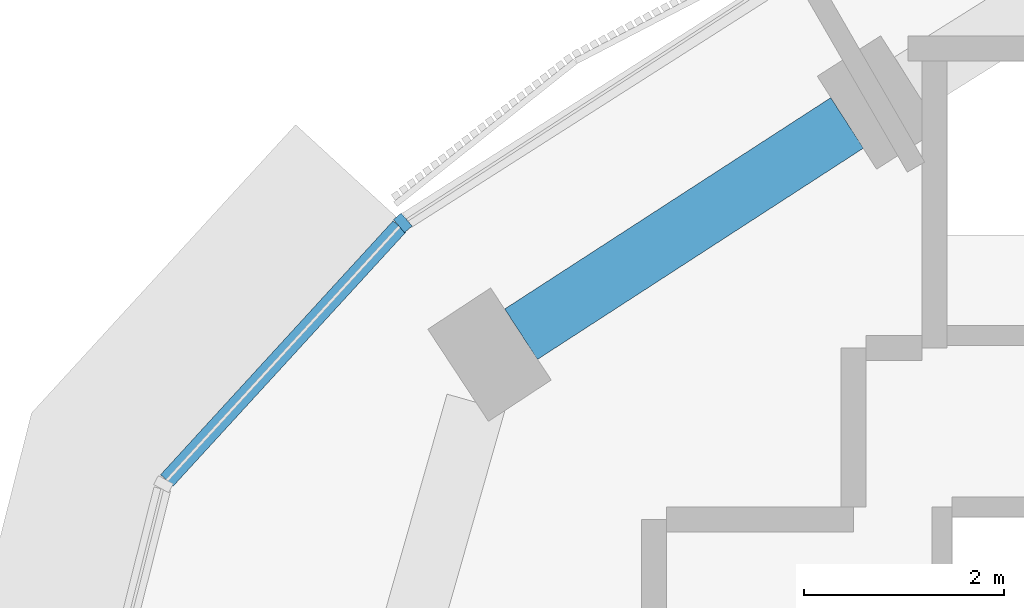
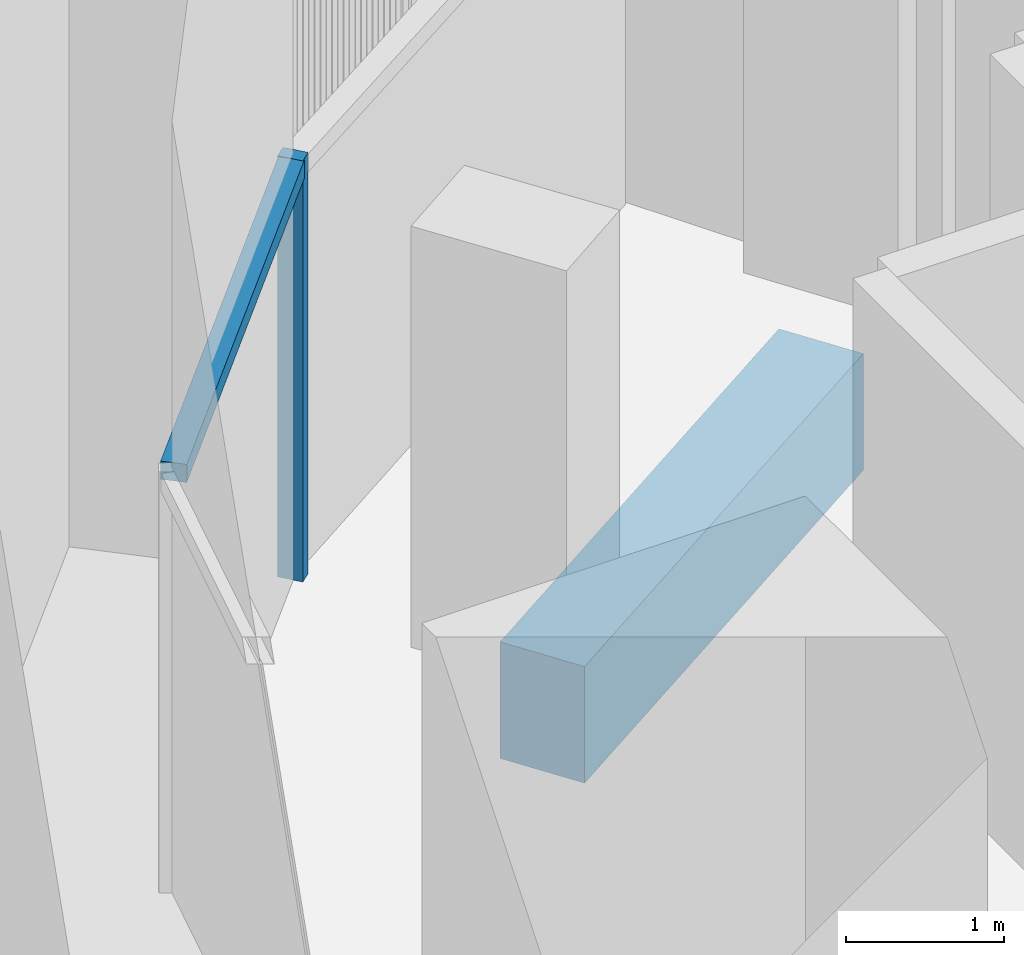
# One storey, part 3 of 14: 2 members, 1 beam, 1 element without a shape of its own.
"""IFC4 building model written with IfcOpenShell, lengths in metres."""

from ifc_helpers import new_model, si_unit, direction, frame, origin, origin_2d, place, context, subcontext, project, spatial, rectangle, extrude, material, material_profile, profile_set, type_object, element, aggregate, save


model = new_model("IFC4")

# Units and contexts
model_context = context("Model", 3, precision=1e-05, world=origin(), true_north=direction((0.0, 1.0)))
body_context = subcontext(model_context, "Body", "Model", "MODEL_VIEW")
ifc_project = project(units=[si_unit("LENGTHUNIT", "METRE"), si_unit("AREAUNIT", "SQUARE_METRE"), si_unit("VOLUMEUNIT", "CUBIC_METRE"), si_unit("PLANEANGLEUNIT", "RADIAN"), si_unit("MASSUNIT", "GRAM", prefix="KILO")], contexts=[model_context])

# Site, building, storey
site_placement = place(None, origin())
site = spatial("IfcSite", under=ifc_project, at=site_placement, CompositionType="ELEMENT")
building_placement = place(site_placement, origin())
building = spatial("IfcBuilding", under=site, at=building_placement, Name="Tamra Quay Hotel Tower", CompositionType="ELEMENT")
storey_placement = place(building_placement, frame((0.0, 0.0, 250.199951171875)))
storey = spatial("IfcBuildingStorey", under=building, at=storey_placement, Name="L63", CompositionType="ELEMENT", Elevation=250.199951171875)

# Curtain wall, member
ifc_material_1 = material(Name="Aluminium 6063 anodised dark grey", Category="aluminium")
curtain_wall_type = type_object("IfcCurtainWallType", Name="CW2 CURTAIN WALL", PredefinedType="NOTDEFINED", material=ifc_material_1)
curtain_wall_placement = place(storey_placement, origin())
curtain_wall = element("IfcCurtainWall", 1, at=curtain_wall_placement, inside=storey, type_object=curtain_wall_type, Name="CW2 north-west face L63", PredefinedType="NOTDEFINED")
ifc_material_profile_1 = material_profile(ifc_material_1, rectangle(XDim=0.169921875, YDim=0.10009765625, at=origin_2d()), Name="MULLION 100X170")
ifc_profile_set_1 = profile_set([ifc_material_profile_1], Name="Aluminium 6063 anodised dark grey")
member_type_1 = type_object("IfcMemberType", Name="MULLION CW2 Z5", PredefinedType="MULLION", material=ifc_profile_set_1)
member_1_placement = place(storey_placement, frame((-24.941650390625, 6.034423828125, 0.0), z_axis=(0.0, 0.0, 1.0), x_axis=(-0.645846473255, 0.763467309702, 0.0)))
member_1 = element("IfcMember", 2, at=member_1_placement, type_object=member_type_1, Name="CW2 mullion L63.NW.9", PredefinedType="MULLION", context=body_context, shape_type="SweptSolid", body=[
    extrude(rectangle(XDim=0.169921875, YDim=0.10009765625, at=origin_2d()), origin(), (0.0, 0.0, 1.0), 3.25),
])

# Beam
ifc_material_2 = material(Name="Concrete M60", Category="concrete")
ifc_material_profile_2 = material_profile(ifc_material_2, rectangle(XDim=0.60009765625, YDim=0.89990234375, at=origin_2d()), Name="SPANDREL BEAM RC 600x900")
ifc_profile_set_2 = profile_set([ifc_material_profile_2], Name="Concrete M60")
beam_type = type_object("IfcBeamType", Name="SPANDREL BEAM RC 600x900", PredefinedType="SPANDREL", material=ifc_profile_set_2)
beam_placement = place(storey_placement, frame((-20.509521484375, 7.03125, -0.800048828125), z_axis=(-0.839181205466, -0.543851914029, 0.0), x_axis=(0.543851914029, -0.839181205466, 0.0)))
element("IfcBeam", 3, at=beam_placement, inside=storey, type_object=beam_type, Name="BM-SP5-017-L63", PredefinedType="SPANDREL", context=body_context, shape_type="SweptSolid", body=[
    extrude(rectangle(XDim=0.60009765625, YDim=0.89990234375, at=origin_2d()), origin(), (0.0, 0.0, 1.0), 3.87548828125),
])

# Member
ifc_material_profile_3 = material_profile(ifc_material_1, rectangle(XDim=0.169921875, YDim=0.139892578125, at=origin_2d()), Name="TRANSOM 170X140")
ifc_profile_set_3 = profile_set([ifc_material_profile_3], Name="Aluminium 6063 anodised dark grey")
member_type_2 = type_object("IfcMemberType", Name="TRANSOM CW2 Z5", PredefinedType="USERDEFINED", material=ifc_profile_set_3)
member_2_placement = place(storey_placement, frame((-24.975341796875, 5.99755859375, 3.179931640625), z_axis=(-0.675476773907, -0.737381263603, 0.0), x_axis=(0.737381263603, -0.675476773907, 0.0)))
member_2 = element("IfcMember", 4, at=member_2_placement, type_object=member_type_2, Name="CW2 transom L63.NW.9", ObjectType="TRANSOM", PredefinedType="USERDEFINED", context=body_context, shape_type="SweptSolid", body=[
    extrude(rectangle(XDim=0.169921875, YDim=0.139892578125, at=origin_2d()), origin(), (0.0, 0.0, 1.0), 3.43505859375),
])

aggregate(curtain_wall, [member_1, member_2])

save(model, "model.ifc")
